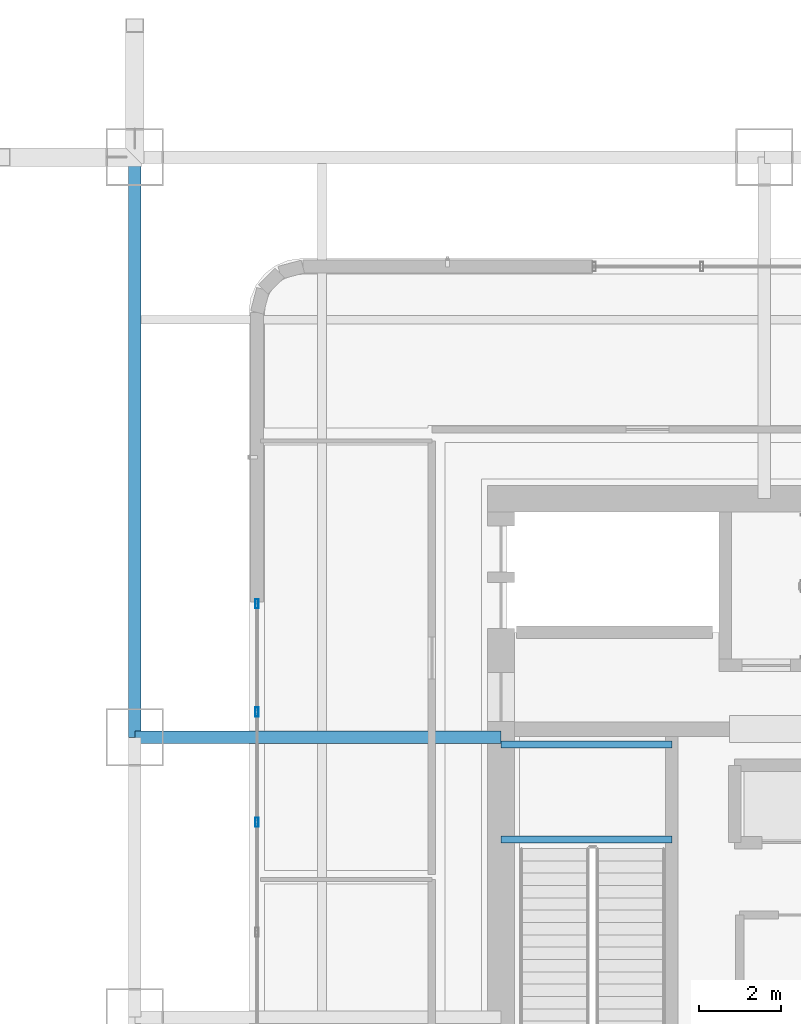
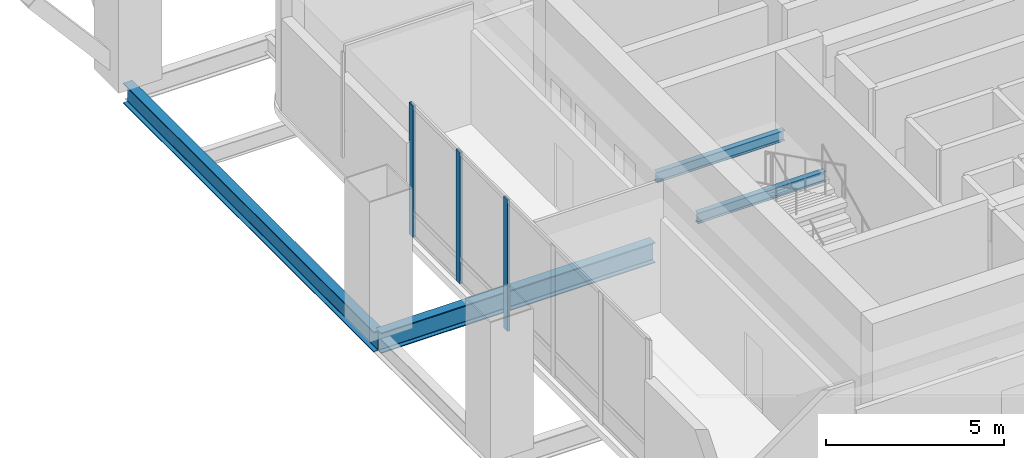
# One storey, part 8 of 30: 4 beams, 3 members, 1 element without a shape of its own.
"""IFC4 building model written with IfcOpenShell, lengths in metres."""

from ifc_helpers import new_model, si_unit, direction, frame, origin, origin_2d, place, context, subcontext, project, spatial, hollow_rectangle, i_section, extrude, material, material_profile, profile_set, type_object, element, aggregate, save


model = new_model("IFC4")

# Units and contexts
model_context = context("Model", 3, precision=1e-05, world=origin(), true_north=direction((0.0, 1.0)))
body_context = subcontext(model_context, "Body", "Model", "MODEL_VIEW")
ifc_project = project(units=[si_unit("LENGTHUNIT", "METRE"), si_unit("AREAUNIT", "SQUARE_METRE"), si_unit("VOLUMEUNIT", "CUBIC_METRE"), si_unit("PLANEANGLEUNIT", "RADIAN"), si_unit("MASSUNIT", "GRAM", prefix="KILO")], contexts=[model_context])

# Site, building, storey
site_placement = place(None, origin())
site = spatial("IfcSite", under=ifc_project, at=site_placement, CompositionType="ELEMENT")
building_placement = place(site_placement, origin())
building = spatial("IfcBuilding", under=site, at=building_placement, Name="Punatoya Terracotta Tower", CompositionType="ELEMENT")
storey_placement = place(building_placement, frame((0.0, 0.0, 135.0)))
storey = spatial("IfcBuildingStorey", under=building, at=storey_placement, Name="L31", CompositionType="ELEMENT", Elevation=135.0)

# Beams
ifc_material_1 = material(Name="Steel S355", Category="steel")
ifc_material_profile_1 = material_profile(ifc_material_1, i_section(OverallWidth=0.300048828125, OverallDepth=0.699951171875, WebThickness=0.01708984375, FlangeThickness=0.031982421875, FilletRadius=0.01806640625, at=origin_2d()))
ifc_profile_set_1 = profile_set([ifc_material_profile_1], Name="Steel S355")
beam_type_1 = type_object("IfcBeamType", Name="BM-PRI-700", PredefinedType="BEAM", material=ifc_profile_set_1)
beam_1_placement = place(storey_placement, frame((-19.10009765625, 3.39990234375, -0.610107421875), z_axis=(0.0, 1.0, 0.0), x_axis=(-1.0, 0.0, 0.0)))
element("IfcBeam", 1, at=beam_1_placement, inside=storey, type_object=beam_type_1, Name="BM-L31-RG-W3", PredefinedType="BEAM", context=body_context, shape_type="SweptSolid", body=[
    extrude(i_section(OverallWidth=0.300048828125, OverallDepth=0.699951171875, WebThickness=0.01708984375, FlangeThickness=0.031982421875, FilletRadius=0.01806640625, at=origin_2d()), origin(), (0.0, 0.0, 1.0), 14.10009765625),
])
beam_2_placement = place(storey_placement, frame((-19.10009765625, 3.39990234375, -0.610107421875), z_axis=(1.0, 0.0, 0.0), x_axis=(0.0, 1.0, 0.0)))
element("IfcBeam", 2, at=beam_2_placement, inside=storey, type_object=beam_type_1, Name="BM-L31-PR-WE", PredefinedType="BEAM", context=body_context, shape_type="SweptSolid", body=[
    extrude(i_section(OverallWidth=0.300048828125, OverallDepth=0.699951171875, WebThickness=0.01708984375, FlangeThickness=0.031982421875, FilletRadius=0.01806640625, at=origin_2d()), origin(), (0.0, 0.0, 1.0), 8.900146484375),
])
ifc_material_profile_2 = material_profile(ifc_material_1, i_section(OverallWidth=0.169921875, OverallDepth=0.360107421875, WebThickness=0.008056640625, FlangeThickness=0.0126953125, FilletRadius=0.01806640625, at=origin_2d()))
ifc_profile_set_2 = profile_set([ifc_material_profile_2], Name="Steel S355")
beam_type_2 = type_object("IfcBeamType", Name="BM-SEC-360", PredefinedType="JOIST", material=ifc_profile_set_2)
for number, where, z_axis, x_axis, name in (
    (3, (-10.199951171875, 0.919921875, 2.02001953125), (1.0, 0.0, 0.0), (0.0, 1.0, 0.0), "BM-L31-ST-1-LD1A"),
    (4, (-10.199951171875, 3.22998046875, 2.02001953125), (1.0, 0.0, 0.0), (0.0, 1.0, 0.0), "BM-L31-ST-1-LD1B"),
):
    element("IfcBeam", number, at=place(storey_placement, frame(where, z_axis=z_axis, x_axis=x_axis)), inside=storey, type_object=beam_type_2, Name=name, PredefinedType="JOIST", context=body_context, shape_type="SweptSolid", body=[
        extrude(i_section(OverallWidth=0.169921875, OverallDepth=0.360107421875, WebThickness=0.008056640625, FlangeThickness=0.0126953125, FilletRadius=0.01806640625, at=origin_2d()), origin(), (0.0, 0.0, 1.0), 4.14990234375),
    ])

# Curtain wall, members
ifc_material_2 = material(Name="Aluminium 6063-T6 + Double Low-E Glass", Category="aluminium")
curtain_wall_type = type_object("IfcCurtainWallType", Name="CW-NCK", PredefinedType="NOTDEFINED", material=ifc_material_2)
curtain_wall_placement = place(storey_placement, origin())
curtain_wall = element("IfcCurtainWall", 5, at=curtain_wall_placement, inside=storey, type_object=curtain_wall_type, Name="L31 Curtain Wall CW-L31-W13-1", PredefinedType="NOTDEFINED")
ifc_material_3 = material(Name="Aluminium 6063-T6", Category="aluminium")
ifc_material_profile_3 = material_profile(ifc_material_3, hollow_rectangle(XDim=0.080078125, YDim=0.22509765625, WallThickness=0.0048828125, at=origin_2d()))
ifc_profile_set_3 = profile_set([ifc_material_profile_3], Name="Aluminium 6063-T6")
member_type = type_object("IfcMemberType", Name="CW-MUL-NCK", PredefinedType="MULLION", material=ifc_profile_set_3)
member_1_placement = place(storey_placement, frame((-16.1298828125, 6.64501953125, 0.0), z_axis=(0.0, 0.0, 1.0), x_axis=(1.0, 0.0, 0.0)))
member_1 = element("IfcMember", 6, at=member_1_placement, type_object=member_type, Name="CW-L31-W13-1 Mullion 00", PredefinedType="MULLION", context=body_context, shape_type="SweptSolid", body=[
    extrude(hollow_rectangle(XDim=0.080078125, YDim=0.22509765625, WallThickness=0.0048828125, at=origin_2d()), origin(), (0.0, 0.0, 1.0), 4.52001953125),
])
member_2_placement = place(storey_placement, frame((-16.1298828125, 4.013916015625, 0.0), z_axis=(0.0, 0.0, 1.0), x_axis=(1.0, 0.0, 0.0)))
member_2 = element("IfcMember", 7, at=member_2_placement, type_object=member_type, Name="CW-L31-W13-1 Mullion 01", PredefinedType="MULLION", context=body_context, shape_type="SweptSolid", body=[
    extrude(hollow_rectangle(XDim=0.080078125, YDim=0.22509765625, WallThickness=0.0048828125, at=origin_2d()), origin(), (0.0, 0.0, 1.0), 4.52001953125),
])
member_3_placement = place(storey_placement, frame((-16.1298828125, 1.337890625, 0.0), z_axis=(0.0, 0.0, 1.0), x_axis=(1.0, 0.0, 0.0)))
member_3 = element("IfcMember", 8, at=member_3_placement, type_object=member_type, Name="CW-L31-W13-1 Mullion 02", PredefinedType="MULLION", context=body_context, shape_type="SweptSolid", body=[
    extrude(hollow_rectangle(XDim=0.080078125, YDim=0.22509765625, WallThickness=0.0048828125, at=origin_2d()), origin(), (0.0, 0.0, 1.0), 4.52001953125),
])
aggregate(curtain_wall, [member_1, member_2, member_3])

save(model, "model.ifc")
